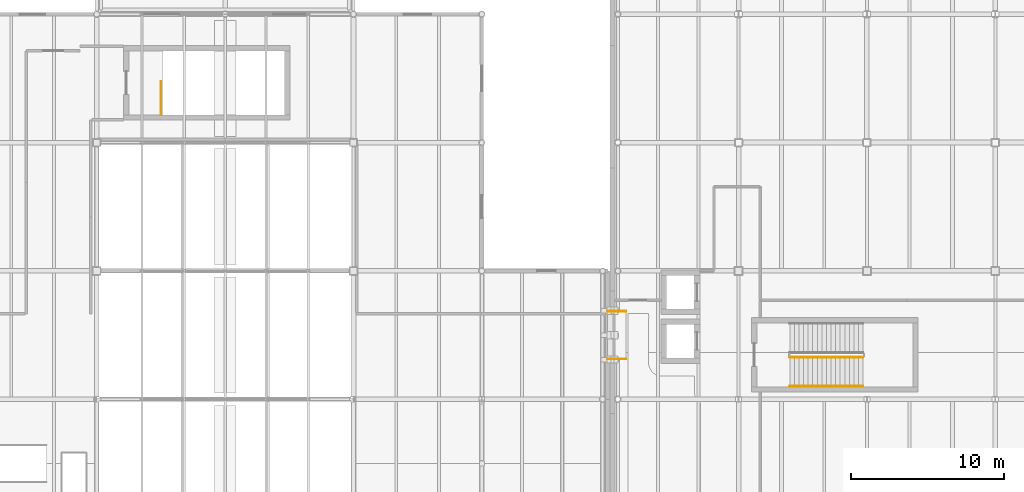
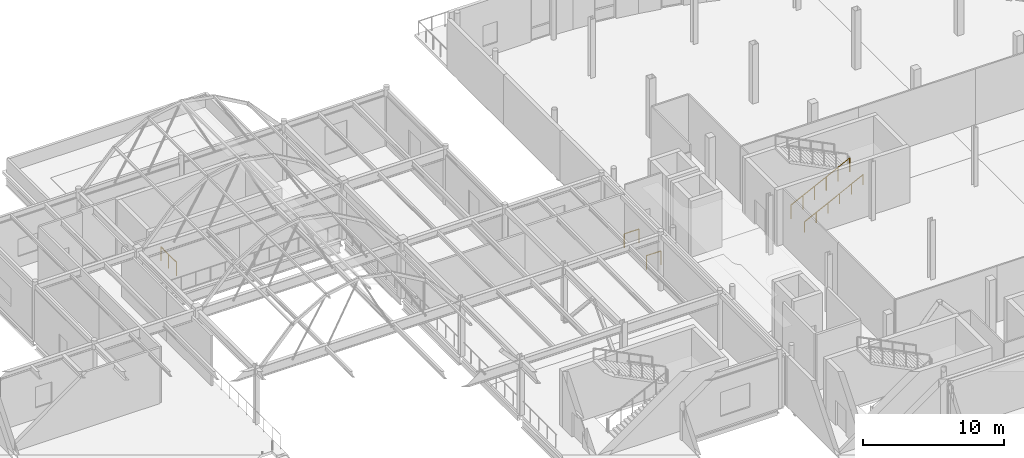
# One storey, part 97 of 103: 5 railings.
"""IFC4 building model written with IfcOpenShell, lengths in metres."""

from ifc_helpers import new_model, si_unit, direction, frame, origin, origin_2d, place, context, subcontext, project, spatial, circle, extrude, material, type_object, element, save


model = new_model("IFC4")

# Units and contexts
model_context = context("Model", 3, precision=1e-05, world=origin(), true_north=direction((0.0, 1.0)))
body_context = subcontext(model_context, "Body", "Model", "MODEL_VIEW")
ifc_project = project(units=[si_unit("LENGTHUNIT", "METRE"), si_unit("AREAUNIT", "SQUARE_METRE"), si_unit("VOLUMEUNIT", "CUBIC_METRE"), si_unit("PLANEANGLEUNIT", "RADIAN"), si_unit("MASSUNIT", "GRAM", prefix="KILO"), si_unit("THERMODYNAMICTEMPERATUREUNIT", "KELVIN")], contexts=[model_context])

# Site, building, storey
site_placement = place(None, origin())
site = spatial("IfcSite", under=ifc_project, at=site_placement, CompositionType="ELEMENT")
building_placement = place(site_placement, origin())
building = spatial("IfcBuilding", under=site, at=building_placement, Name="Lustrewick Department Store", CompositionType="ELEMENT")
storey_placement = place(building_placement, frame((0.0, 0.0, 16.5)))
storey = spatial("IfcBuildingStorey", under=building, at=storey_placement, Name="L04", CompositionType="ELEMENT", Elevation=16.5)

# Railings
ifc_material_1 = material(Name="Laminated safety glass and bronze atrium balustrade", Category="glass")
railing_type_1 = type_object("IfcRailingType", Name="RL-BAL", PredefinedType="BALUSTRADE", material=ifc_material_1)
for number, where, name in (
    (1, (109.0400390625, 78.239990234375, 0.0), "L04 Skybridge SB24 South Guard 0042"),
    (2, (109.0400390625, 81.360107421875, 0.0), "L04 Skybridge SB24 North Guard 0043"),
):
    element("IfcRailing", number, at=place(storey_placement, frame(where)), inside=storey, type_object=railing_type_1, Name=name, PredefinedType="BALUSTRADE", context=body_context, shape_type="SweptSolid", body=[
        extrude(circle(Radius=0.02392578125, at=origin_2d()), frame((0.0, 0.0, 1.17578125), z_axis=(1.0, 0.0, 0.0), x_axis=(0.0, 1.0, 0.0)), (0.0, 0.0, 1.0), 1.18994140625),
        extrude(circle(Radius=0.02099609375, at=origin_2d()), origin(), (0.0, 0.0, 1.0), 1.15185546875),
        extrude(circle(Radius=0.02099609375, at=origin_2d()), frame((1.18994140625, 0.0, 0.0)), (0.0, 0.0, 1.0), 1.15185546875),
    ])
ifc_material_2 = material(Name="Painted tubular steel stairwell guardrail", Category="steel")
railing_type_2 = type_object("IfcRailingType", Name="RL-STG", PredefinedType="GUARDRAIL", material=ifc_material_2)
railing_1_placement = place(storey_placement, frame((79.800048828125, 94.199951171875, 0.0)))
element("IfcRailing", 3, at=railing_1_placement, inside=storey, type_object=railing_type_2, Name="L04 ST06 Top Well Guard 1", PredefinedType="GUARDRAIL", context=body_context, shape_type="SweptSolid", body=[
    extrude(circle(Radius=0.02392578125, at=origin_2d()), frame((0.0, 0.0, 1.17578125), z_axis=(0.0, 1.0, 0.0), x_axis=(-1.0, 0.0, 0.0)), (0.0, 0.0, 1.0), 2.199951171875),
    extrude(circle(Radius=0.02099609375, at=origin_2d()), origin(), (0.0, 0.0, 1.0), 1.15185546875),
    extrude(circle(Radius=0.02099609375, at=origin_2d()), frame((0.0, 1.10009765625, 0.0)), (0.0, 0.0, 1.0), 1.15185546875),
    extrude(circle(Radius=0.02099609375, at=origin_2d()), frame((0.0, 2.199951171875, 0.0)), (0.0, 0.0, 1.0), 1.15185546875),
])
railing_2_placement = place(storey_placement, frame((120.949951171875, 78.35009765625, 0.14990234375)))
element("IfcRailing", 4, at=railing_2_placement, inside=storey, type_object=railing_type_2, Name="L04 ST10 Stair Guard 1", PredefinedType="GUARDRAIL", context=body_context, shape_type="SweptSolid", body=[
    extrude(circle(Radius=0.02392578125, at=origin_2d()), frame((0.0, 0.0, 1.17578125), z_axis=(0.894418092416, 0.0, 0.447231792205), x_axis=(0.0, 1.0, 0.0)), (0.0, 0.0, 1.0), 5.36669921875),
    extrude(circle(Radius=0.02099609375, at=origin_2d()), origin(), (0.0, 0.0, 1.0), 1.15185546875),
    extrude(circle(Radius=0.02099609375, at=origin_2d()), frame((0.9599609375, 0.0, 0.47998046875)), (0.0, 0.0, 1.0), 1.15185546875),
    extrude(circle(Radius=0.02099609375, at=origin_2d()), frame((1.919921875, 0.0, 0.9599609375)), (0.0, 0.0, 1.0), 1.15185546875),
    extrude(circle(Radius=0.02099609375, at=origin_2d()), frame((2.880126953125, 0.0, 1.440185546875)), (0.0, 0.0, 1.0), 1.15185546875),
    extrude(circle(Radius=0.02099609375, at=origin_2d()), frame((3.840087890625, 0.0, 1.920166015625)), (0.0, 0.0, 1.0), 1.15185546875),
    extrude(circle(Radius=0.02099609375, at=origin_2d()), frame((4.800048828125, 0.0, 2.400146484375)), (0.0, 0.0, 1.0), 1.15185546875),
])
ifc_material_3 = material(Name="Brushed stainless steel wall handrail", Category="steel")
railing_type_3 = type_object("IfcRailingType", Name="RL-STH", PredefinedType="HANDRAIL", material=ifc_material_3)
railing_3_placement = place(storey_placement, frame((120.949951171875, 76.449951171875, 0.14990234375)))
element("IfcRailing", 5, at=railing_3_placement, inside=storey, type_object=railing_type_3, Name="L04 ST10 Stair Handrail 1", PredefinedType="HANDRAIL", context=body_context, shape_type="SweptSolid", body=[
    extrude(circle(Radius=0.02392578125, at=origin_2d()), frame((0.0, 0.0, 0.8759765625), z_axis=(0.894418092416, 0.0, 0.447231792205), x_axis=(0.0, 1.0, 0.0)), (0.0, 0.0, 1.0), 5.36669921875),
    extrude(circle(Radius=0.02099609375, at=origin_2d()), origin(), (0.0, 0.0, 1.0), 0.851806640625),
    extrude(circle(Radius=0.02099609375, at=origin_2d()), frame((0.9599609375, 0.0, 0.47998046875)), (0.0, 0.0, 1.0), 0.851806640625),
    extrude(circle(Radius=0.02099609375, at=origin_2d()), frame((1.919921875, 0.0, 0.9599609375)), (0.0, 0.0, 1.0), 0.851806640625),
    extrude(circle(Radius=0.02099609375, at=origin_2d()), frame((2.880126953125, 0.0, 1.440185546875)), (0.0, 0.0, 1.0), 0.851806640625),
    extrude(circle(Radius=0.02099609375, at=origin_2d()), frame((3.840087890625, 0.0, 1.920166015625)), (0.0, 0.0, 1.0), 0.851806640625),
    extrude(circle(Radius=0.02099609375, at=origin_2d()), frame((4.800048828125, 0.0, 2.400146484375)), (0.0, 0.0, 1.0), 0.851806640625),
])

save(model, "model.ifc")
